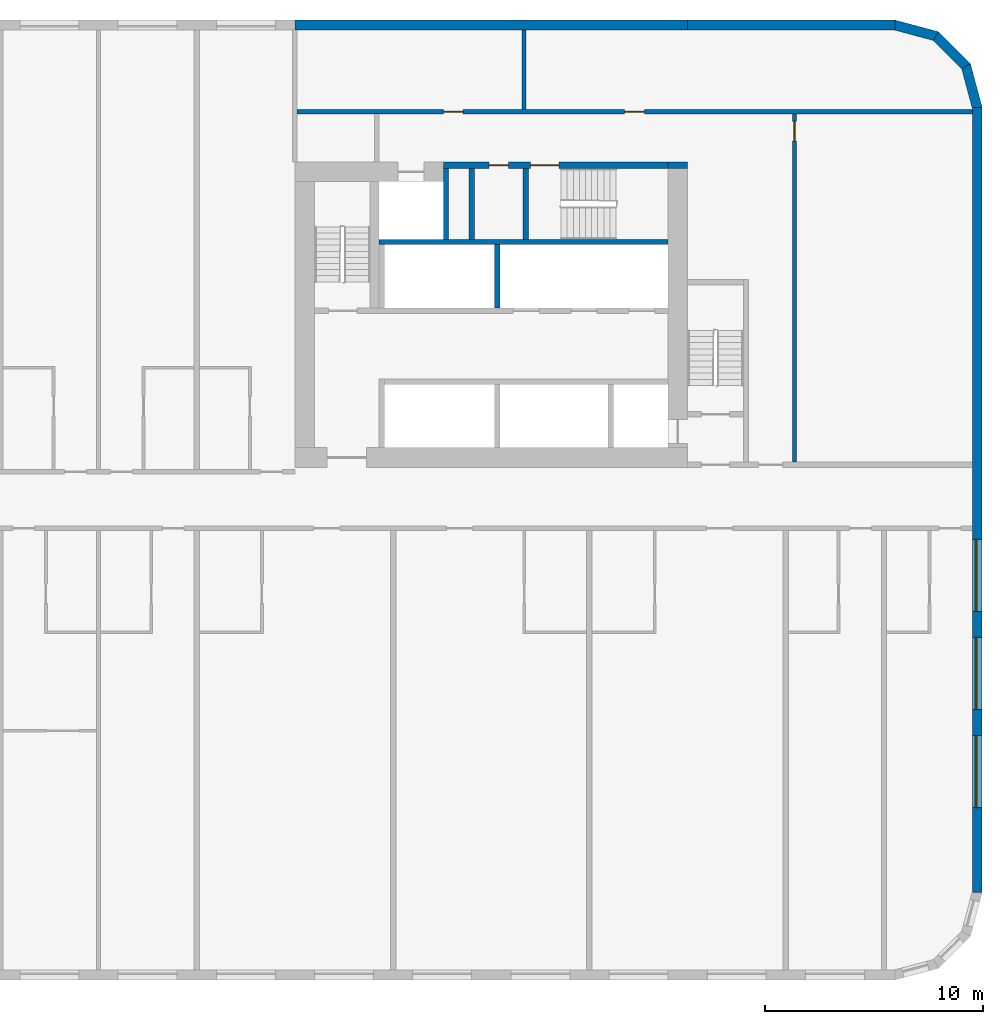
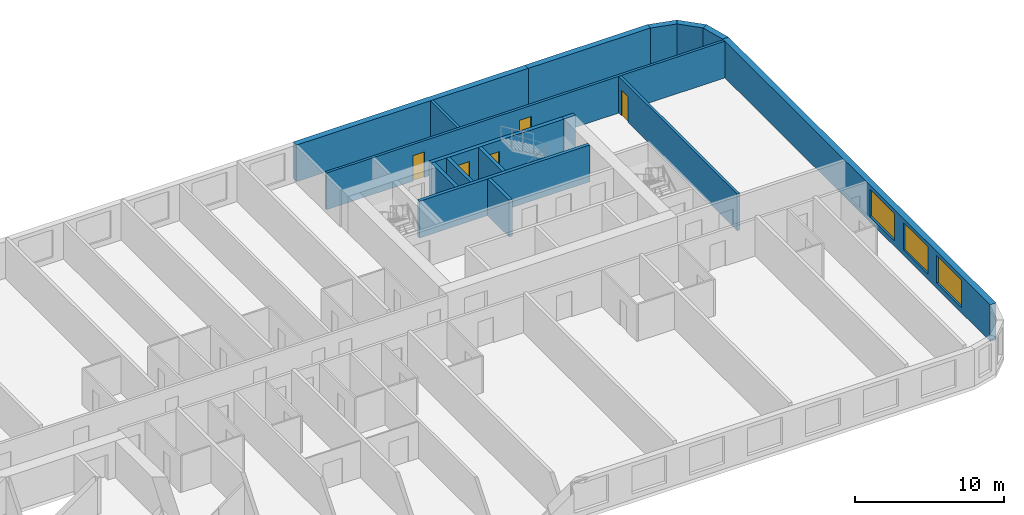
# One storey, part 8 of 12: 16 walls, 5 doors, 3 windows, 8 openings.
"""IFC4 building model written with IfcOpenShell, lengths in metres."""

from ifc_helpers import new_model, si_unit, direction, frame, frame_2d, origin, place, context, subcontext, project, spatial, polyline, rectangle, outline, extrude, material, layer, layer_set, type_object, element, fill, save


model = new_model("IFC4")

# Units and contexts
model_context = context("Model", 3, precision=1e-05, world=origin(), true_north=direction((0.0, 1.0)))
body_context = subcontext(model_context, "Body", "Model", "MODEL_VIEW")
ifc_project = project(units=[si_unit("LENGTHUNIT", "METRE"), si_unit("AREAUNIT", "SQUARE_METRE"), si_unit("VOLUMEUNIT", "CUBIC_METRE"), si_unit("PLANEANGLEUNIT", "RADIAN"), si_unit("MASSUNIT", "GRAM", prefix="KILO")], contexts=[model_context])

# Site, building, storey
site_placement = place(None, origin())
site = spatial("IfcSite", under=ifc_project, at=site_placement, CompositionType="ELEMENT")
building_placement = place(site_placement, origin())
building = spatial("IfcBuilding", under=site, at=building_placement, Name="Kajstack Hotel Tower", CompositionType="ELEMENT")
storey_placement = place(building_placement, frame((0.0, 0.0, 93.0)))
storey = spatial("IfcBuildingStorey", under=building, at=storey_placement, Name="L19", CompositionType="ELEMENT", Elevation=93.0)

# Walls
ifc_material_1 = material(Name="Concrete C60/75", Category="concrete")
ifc_layer_1 = layer(ifc_material_1, 0.89990234375)
ifc_layer_set_1 = layer_set([ifc_layer_1], Name="Core wall 900")
wall_type_1 = type_object("IfcWallType", Name="Core wall 900", PredefinedType="SHEAR", material=ifc_layer_set_1)
wall_1_placement = place(storey_placement, frame((30.60009765625, 15.35009765625, 0.0), z_axis=(0.0, 0.0, 1.0), x_axis=(1.0, 0.0, 0.0)))
element("IfcWall", 1, at=wall_1_placement, inside=storey, type_object=wall_type_1, Name="Core wall E RSW", PredefinedType="SHEAR", context=body_context, shape_type="SweptSolid", body=[
    extrude(rectangle(XDim=0.89990234375, YDim=0.300048828125, at=frame_2d((0.449951171875, 0.0))), origin(), (0.0, 0.0, 1.0), 3.02001953125),
])
ifc_material_2 = material(Name="Concrete C40/50", Category="concrete")
ifc_layer_2 = layer(ifc_material_2, 0.449951171875)
ifc_layer_set_2 = layer_set([ifc_layer_2], Name="EW-CORE")
wall_type_2 = type_object("IfcWallType", Name="EW-CORE", PredefinedType="SOLIDWALL", material=ifc_layer_set_2)
wall_2_placement = place(storey_placement, frame((31.5, 21.77490234375, 0.0), z_axis=(0.0, 0.0, 1.0), x_axis=(-1.0, 0.0, 0.0)))
element("IfcWall", 2, at=wall_2_placement, inside=storey, type_object=wall_type_2, Name="E-wall-L19-11-01", PredefinedType="SOLIDWALL", context=body_context, shape_type="SweptSolid", body=[
    extrude(rectangle(XDim=18.0, YDim=0.449951171875, at=frame_2d((9.0, 0.0))), origin(), (0.0, 0.0, 1.0), 3.02001953125),
])

# Wall, openings, windows
ifc_material_3 = material(Name="Terracotta-faced brick masonry", Category="masonry")
ifc_layer_3 = layer(ifc_material_3, 0.449951171875)
ifc_layer_set_3 = layer_set([ifc_layer_3], Name="EW-TERRA")
wall_type_3 = type_object("IfcWallType", Name="EW-TERRA", PredefinedType="SOLIDWALL", material=ifc_layer_set_3)
wall_3_placement = place(storey_placement, frame((44.77490234375, -18.0, 0.0), z_axis=(0.0, 0.0, 1.0), x_axis=(0.0, 1.0, 0.0)))
wall_3 = element("IfcWall", 3, at=wall_3_placement, inside=storey, type_object=wall_type_3, Name="E-wall-L19-07-00", PredefinedType="SOLIDWALL", context=body_context, shape_type="SweptSolid", body=[
    extrude(rectangle(XDim=36.0, YDim=0.449951171875, at=frame_2d((18.0, 0.0))), origin(), (0.0, 0.0, 1.0), 3.02001953125),
])
opening_1_placement = place(wall_3_placement, frame((3.89990234375, 0.0, 0.449951171875)))
opening_1 = element("IfcOpeningElement", 4, at=opening_1_placement, cuts=wall_3, Name="Opening W2", PredefinedType="OPENING", context=body_context, shape_type="SweptSolid", body=[
    extrude(rectangle(XDim=3.300048828125, YDim=2.25, at=frame_2d((1.64990234375, 1.125))), frame((0.0, 0.23486328125, 0.0), z_axis=(0.0, -1.0, 0.0), x_axis=(1.0, 0.0, 0.0)), (0.0, 0.0, 1.0), 0.469970703125),
])
opening_2_placement = place(wall_3_placement, frame((8.39990234375, 0.0, 0.449951171875)))
opening_2 = element("IfcOpeningElement", 5, at=opening_2_placement, cuts=wall_3, Name="Opening W2", PredefinedType="OPENING", context=body_context, shape_type="SweptSolid", body=[
    extrude(rectangle(XDim=3.300048828125, YDim=2.25, at=frame_2d((1.64990234375, 1.125))), frame((0.0, 0.23486328125, 0.0), z_axis=(0.0, -1.0, 0.0), x_axis=(1.0, 0.0, 0.0)), (0.0, 0.0, 1.0), 0.469970703125),
])
opening_3_placement = place(wall_3_placement, frame((12.89990234375, 0.0, 0.449951171875)))
opening_3 = element("IfcOpeningElement", 6, at=opening_3_placement, cuts=wall_3, Name="Opening W2", PredefinedType="OPENING", context=body_context, shape_type="SweptSolid", body=[
    extrude(rectangle(XDim=3.300048828125, YDim=2.25, at=frame_2d((1.64990234375, 1.125))), frame((0.0, 0.23486328125, 0.0), z_axis=(0.0, -1.0, 0.0), x_axis=(1.0, 0.0, 0.0)), (0.0, 0.0, 1.0), 0.469970703125),
])
ifc_material_4 = material(Name="Timber-aluminium window, triple glazed", Category="wood")
window_type = type_object("IfcWindowType", Name="WG2", PartitioningType="SINGLE_PANEL", PredefinedType="WINDOW", material=ifc_material_4)
window_1_placement = place(opening_1_placement, origin())
window_1 = element("IfcWindow", 7, at=window_1_placement, inside=storey, type_object=window_type, Name="Window W2 L19-07", OverallHeight=2.25, OverallWidth=3.300048828125, PartitioningType="SINGLE_PANEL", PredefinedType="WINDOW", context=body_context, shape_type="SweptSolid", body=[
    extrude(rectangle(XDim=3.300048828125, YDim=2.25, at=frame_2d((1.64990234375, 1.125))), frame((0.0, 0.090087890625, 0.0), z_axis=(0.0, -1.0, 0.0), x_axis=(1.0, 0.0, 0.0)), (0.0, 0.0, 1.0), 0.06005859375),
])
fill(opening_1, window_1)
window_2_placement = place(opening_2_placement, origin())
window_2 = element("IfcWindow", 8, at=window_2_placement, inside=storey, type_object=window_type, Name="Window W2 L19-07", OverallHeight=2.25, OverallWidth=3.300048828125, PartitioningType="SINGLE_PANEL", PredefinedType="WINDOW", context=body_context, shape_type="SweptSolid", body=[
    extrude(rectangle(XDim=3.300048828125, YDim=2.25, at=frame_2d((1.64990234375, 1.125))), frame((0.0, 0.090087890625, 0.0), z_axis=(0.0, -1.0, 0.0), x_axis=(1.0, 0.0, 0.0)), (0.0, 0.0, 1.0), 0.06005859375),
])
fill(opening_2, window_2)
window_3_placement = place(opening_3_placement, origin())
window_3 = element("IfcWindow", 9, at=window_3_placement, inside=storey, type_object=window_type, Name="Window W2 L19-07", OverallHeight=2.25, OverallWidth=3.300048828125, PartitioningType="SINGLE_PANEL", PredefinedType="WINDOW", context=body_context, shape_type="SweptSolid", body=[
    extrude(rectangle(XDim=3.300048828125, YDim=2.25, at=frame_2d((1.64990234375, 1.125))), frame((0.0, 0.090087890625, 0.0), z_axis=(0.0, -1.0, 0.0), x_axis=(1.0, 0.0, 0.0)), (0.0, 0.0, 1.0), 0.06005859375),
])
fill(opening_3, window_3)

# Walls
wall_4_placement = place(storey_placement, frame((44.78271484375, 17.941650390625, 0.0), z_axis=(0.0, 0.0, 1.0), x_axis=(-0.25881466832, 0.965926999034, 0.0)))
element("IfcWall", 10, at=wall_4_placement, inside=storey, type_object=wall_type_3, Name="E-wall-L19-08-00", PredefinedType="SOLIDWALL", context=body_context, shape_type="SweptSolid", body=[
    extrude(outline(polyline([(0.000244140625, -0.22509765625), (2.070556640625, -0.224853515625), (1.9501953125, 0.22509765625), (0.12060546875, 0.22509765625), (0.000244140625, -0.22509765625)])), origin(), (0.0, 0.0, 1.0), 3.02001953125),
])
wall_5_placement = place(storey_placement, frame((44.304931640625, 19.8408203125, 0.0), z_axis=(0.0, 0.0, 1.0), x_axis=(-0.707106781187, 0.707106781187, 0.0)))
element("IfcWall", 11, at=wall_5_placement, inside=storey, type_object=wall_type_3, Name="E-wall-L19-09-00", PredefinedType="SOLIDWALL", context=body_context, shape_type="SweptSolid", body=[
    extrude(outline(polyline([(0.0, -0.22509765625), (2.070556640625, -0.22509765625), (1.949951171875, 0.224853515625), (0.12060546875, 0.224853515625), (0.0, -0.22509765625)])), origin(), (0.0, 0.0, 1.0), 3.02001953125),
])
wall_6_placement = place(storey_placement, frame((42.941650390625, 21.246826171875, 0.0), z_axis=(0.0, 0.0, 1.0), x_axis=(-0.965926999034, 0.25881466832, 0.0)))
element("IfcWall", 12, at=wall_6_placement, inside=storey, type_object=wall_type_3, Name="E-wall-L19-10-00", PredefinedType="SOLIDWALL", context=body_context, shape_type="SweptSolid", body=[
    extrude(outline(polyline([(-0.000244140625, -0.224853515625), (2.0703125, -0.22509765625), (1.949951171875, 0.22509765625), (0.120361328125, 0.22509765625), (-0.000244140625, -0.224853515625)])), origin(), (0.0, 0.0, 1.0), 3.02001953125),
])
wall_7_placement = place(storey_placement, frame((41.0, 21.77490234375, 0.0), z_axis=(0.0, 0.0, 1.0), x_axis=(-1.0, 0.0, 0.0)))
element("IfcWall", 13, at=wall_7_placement, inside=storey, type_object=wall_type_3, Name="E-wall-L19-11-00", PredefinedType="SOLIDWALL", context=body_context, shape_type="SweptSolid", body=[
    extrude(rectangle(XDim=9.5, YDim=0.449951171875, at=frame_2d((4.75, 0.0))), origin(), (0.0, 0.0, 1.0), 3.02001953125),
])
ifc_material_5 = material(Name="Concrete C50/60", Category="concrete")
ifc_layer_4 = layer(ifc_material_5, 0.300048828125)
ifc_layer_set_4 = layer_set([ifc_layer_4], Name="Hoistway divider wall 300")
wall_type_4 = type_object("IfcWallType", Name="Hoistway divider wall 300", PredefinedType="SHEAR", material=ifc_layer_set_4)
wall_8_placement = place(storey_placement, frame((22.77490234375, 8.800048828125, 0.0), z_axis=(0.0, 0.0, 1.0), x_axis=(0.0, 1.0, 0.0)))
element("IfcWall", 14, at=wall_8_placement, inside=storey, type_object=wall_type_4, Name="Core wall E BP2", PredefinedType="SHEAR", context=body_context, shape_type="SweptSolid", body=[
    extrude(rectangle(XDim=2.89990234375, YDim=0.25, at=frame_2d((1.449951171875, 0.0))), origin(), (0.0, 0.0, 1.0), 3.02001953125),
])
ifc_material_6 = material(Name="Concrete block masonry", Category="masonry")
ifc_layer_5 = layer(ifc_material_6, 0.25)
ifc_layer_set_5 = layer_set([ifc_layer_5], Name="Riser partition 250")
wall_type_5 = type_object("IfcWallType", Name="Riser partition 250", PredefinedType="PARTITIONING", material=ifc_layer_set_5)
wall_9_placement = place(storey_placement, frame((21.60009765625, 11.949951171875, 0.0), z_axis=(0.0, 0.0, 1.0), x_axis=(0.0, 1.0, 0.0)))
element("IfcWall", 15, at=wall_9_placement, inside=storey, type_object=wall_type_5, Name="Partition E SZ0", PredefinedType="PARTITIONING", context=body_context, shape_type="SweptSolid", body=[
    extrude(rectangle(XDim=3.25, YDim=0.25, at=frame_2d((1.625, 0.0))), origin(), (0.0, 0.0, 1.0), 3.02001953125),
])

# Wall, opening, door
ifc_material_7 = material(Name="Gypsum board on steel studs, mineral wool", Category="steel")
ifc_layer_6 = layer(ifc_material_7, 0.199951171875)
ifc_layer_set_6 = layer_set([ifc_layer_6], Name="Service partition 200")
wall_type_6 = type_object("IfcWallType", Name="Service partition 200", PredefinedType="PARTITIONING", material=ifc_layer_set_6)
wall_10_placement = place(storey_placement, frame((36.39990234375, 1.75, 0.0), z_axis=(0.0, 0.0, 1.0), x_axis=(0.0, 1.0, 0.0)))
wall_10 = element("IfcWall", 16, at=wall_10_placement, inside=storey, type_object=wall_type_6, Name="Partition E WRE", PredefinedType="PARTITIONING", context=body_context, shape_type="SweptSolid", body=[
    extrude(rectangle(XDim=15.949951171875, YDim=0.199951171875, at=frame_2d((7.97509765625, 0.0))), origin(), (0.0, 0.0, 1.0), 3.02001953125),
])
opening_4_placement = place(wall_10_placement, frame((14.699951171875, 0.0, 0.0)))
opening_4 = element("IfcOpeningElement", 17, at=opening_4_placement, cuts=wall_10, Name="Opening 19E15", PredefinedType="OPENING", context=body_context, shape_type="SweptSolid", body=[
    extrude(rectangle(XDim=0.89990234375, YDim=2.10009765625, at=frame_2d((0.449951171875, 1.050048828125))), frame((0.0, 0.10986328125, 0.0), z_axis=(0.0, -1.0, 0.0), x_axis=(1.0, 0.0, 0.0)), (0.0, 0.0, 1.0), 0.219970703125),
])
ifc_material_8 = material(Name="Timber leaf, fire-rated", Category="wood")
door_type_1 = type_object("IfcDoorType", Name="Service door 900", OperationType="SINGLE_SWING_LEFT", PredefinedType="DOOR", material=ifc_material_8)
door_1_placement = place(opening_4_placement, origin())
door_1 = element("IfcDoor", 18, at=door_1_placement, inside=storey, type_object=door_type_1, Name="Door 19E15", OperationType="SINGLE_SWING_RIGHT", OverallHeight=2.10009765625, OverallWidth=0.89990234375, PredefinedType="DOOR", context=body_context, shape_type="SweptSolid", body=[
    extrude(rectangle(XDim=0.89990234375, YDim=2.10009765625, at=frame_2d((0.449951171875, 1.050048828125))), frame((0.0, 0.02490234375, 0.0), z_axis=(0.0, -1.0, 0.0), x_axis=(1.0, 0.0, 0.0)), (0.0, 0.0, 1.0), 0.050048828125),
])
fill(opening_4, door_1)

# Wall, openings, doors
wall_11_placement = place(storey_placement, frame((13.60009765625, 17.800048828125, 0.0), z_axis=(0.0, 0.0, 1.0), x_axis=(1.0, 0.0, 0.0)))
wall_11 = element("IfcWall", 19, at=wall_11_placement, inside=storey, type_object=wall_type_6, Name="Partition E SLN", PredefinedType="PARTITIONING", context=body_context, shape_type="SweptSolid", body=[
    extrude(rectangle(XDim=30.949951171875, YDim=0.199951171875, at=frame_2d((15.47509765625, 0.0))), origin(), (0.0, 0.0, 1.0), 3.02001953125),
])
opening_5_placement = place(wall_11_placement, frame((15.012451171875, 0.0, 0.0)))
opening_5 = element("IfcOpeningElement", 20, at=opening_5_placement, cuts=wall_11, Name="Opening 19E13", PredefinedType="OPENING", context=body_context, shape_type="SweptSolid", body=[
    extrude(rectangle(XDim=0.89990234375, YDim=2.10009765625, at=frame_2d((0.449951171875, 1.050048828125))), frame((0.0, 0.10986328125, 0.0), z_axis=(0.0, -1.0, 0.0), x_axis=(1.0, 0.0, 0.0)), (0.0, 0.0, 1.0), 0.219970703125),
])
opening_6_placement = place(wall_11_placement, frame((6.71240234375, 0.0, 0.0)))
opening_6 = element("IfcOpeningElement", 21, at=opening_6_placement, cuts=wall_11, Name="Opening 19E14", PredefinedType="OPENING", context=body_context, shape_type="SweptSolid", body=[
    extrude(rectangle(XDim=0.89990234375, YDim=2.10009765625, at=frame_2d((0.449951171875, 1.050048828125))), frame((0.0, 0.10986328125, 0.0), z_axis=(0.0, -1.0, 0.0), x_axis=(1.0, 0.0, 0.0)), (0.0, 0.0, 1.0), 0.219970703125),
])
door_2_placement = place(opening_5_placement, origin())
door_2 = element("IfcDoor", 22, at=door_2_placement, inside=storey, type_object=door_type_1, Name="Door 19E13", OperationType="SINGLE_SWING_LEFT", OverallHeight=2.10009765625, OverallWidth=0.89990234375, PredefinedType="DOOR", context=body_context, shape_type="SweptSolid", body=[
    extrude(rectangle(XDim=0.89990234375, YDim=2.10009765625, at=frame_2d((0.449951171875, 1.050048828125))), frame((0.0, 0.02490234375, 0.0), z_axis=(0.0, -1.0, 0.0), x_axis=(1.0, 0.0, 0.0)), (0.0, 0.0, 1.0), 0.050048828125),
])
fill(opening_5, door_2)
door_3_placement = place(opening_6_placement, origin())
door_3 = element("IfcDoor", 23, at=door_3_placement, inside=storey, type_object=door_type_1, Name="Door 19E14", OperationType="SINGLE_SWING_LEFT", OverallHeight=2.10009765625, OverallWidth=0.89990234375, PredefinedType="DOOR", context=body_context, shape_type="SweptSolid", body=[
    extrude(rectangle(XDim=0.89990234375, YDim=2.10009765625, at=frame_2d((0.449951171875, 1.050048828125))), frame((0.0, 0.02490234375, 0.0), z_axis=(0.0, -1.0, 0.0), x_axis=(1.0, 0.0, 0.0)), (0.0, 0.0, 1.0), 0.050048828125),
])
fill(opening_6, door_3)

# Wall
wall_12_placement = place(storey_placement, frame((24.0, 17.89990234375, 0.0), z_axis=(0.0, 0.0, 1.0), x_axis=(0.0, 1.0, 0.0)))
element("IfcWall", 24, at=wall_12_placement, inside=storey, type_object=wall_type_6, Name="Partition E SLP0", PredefinedType="PARTITIONING", context=body_context, shape_type="SweptSolid", body=[
    extrude(rectangle(XDim=3.650146484375, YDim=0.199951171875, at=frame_2d((1.8251953125, 0.0))), origin(), (0.0, 0.0, 1.0), 3.02001953125),
])

# Wall, openings, doors
ifc_layer_7 = layer(ifc_material_5, 0.25)
ifc_layer_set_7 = layer_set([ifc_layer_7], Name="Shaft wall 250")
wall_type_7 = type_object("IfcWallType", Name="Shaft wall 250", PredefinedType="SHEAR", material=ifc_layer_set_7)
wall_13_placement = place(storey_placement, frame((20.300048828125, 15.35009765625, 0.0), z_axis=(0.0, 0.0, 1.0), x_axis=(1.0, 0.0, 0.0)))
wall_13 = element("IfcWall", 25, at=wall_13_placement, inside=storey, type_object=wall_type_7, Name="Core wall E RSS", PredefinedType="SHEAR", context=body_context, shape_type="SweptSolid", body=[
    extrude(rectangle(XDim=10.300048828125, YDim=0.300048828125, at=frame_2d((5.14990234375, 0.0))), origin(), (0.0, 0.0, 1.0), 3.02001953125),
])
opening_7_placement = place(wall_13_placement, frame((4.0, 0.0, 0.0)))
opening_7 = element("IfcOpeningElement", 26, at=opening_7_placement, cuts=wall_13, Name="Opening 19E11", PredefinedType="OPENING", context=body_context, shape_type="SweptSolid", body=[
    extrude(rectangle(XDim=1.300048828125, YDim=2.10009765625, at=frame_2d((0.64990234375, 1.050048828125))), frame((0.0, 0.159912109375, 0.0), z_axis=(0.0, -1.0, 0.0), x_axis=(1.0, 0.0, 0.0)), (0.0, 0.0, 1.0), 0.320068359375),
])
opening_8_placement = place(wall_13_placement, frame((2.08740234375, 0.0, 0.0)))
opening_8 = element("IfcOpeningElement", 27, at=opening_8_placement, cuts=wall_13, Name="Opening 19E12", PredefinedType="OPENING", context=body_context, shape_type="SweptSolid", body=[
    extrude(rectangle(XDim=0.89990234375, YDim=2.10009765625, at=frame_2d((0.449951171875, 1.050048828125))), frame((0.0, 0.159912109375, 0.0), z_axis=(0.0, -1.0, 0.0), x_axis=(1.0, 0.0, 0.0)), (0.0, 0.0, 1.0), 0.320068359375),
])
door_4_placement = place(opening_8_placement, origin())
door_4 = element("IfcDoor", 28, at=door_4_placement, inside=storey, type_object=door_type_1, Name="Door 19E12", OperationType="SINGLE_SWING_RIGHT", OverallHeight=2.10009765625, OverallWidth=0.89990234375, PredefinedType="DOOR", context=body_context, shape_type="SweptSolid", body=[
    extrude(rectangle(XDim=0.89990234375, YDim=2.10009765625, at=frame_2d((0.449951171875, 1.050048828125))), frame((0.0, 0.02490234375, 0.0), z_axis=(0.0, -1.0, 0.0), x_axis=(1.0, 0.0, 0.0)), (0.0, 0.0, 1.0), 0.050048828125),
])
fill(opening_8, door_4)
ifc_material_9 = material(Name="Steel leaf, fire-rated", Category="steel")
door_type_2 = type_object("IfcDoorType", Name="Stair door 1300", OperationType="SINGLE_SWING_LEFT", PredefinedType="DOOR", material=ifc_material_9)
door_5_placement = place(opening_7_placement, origin())
door_5 = element("IfcDoor", 29, at=door_5_placement, inside=storey, type_object=door_type_2, Name="Door 19E11", OperationType="SINGLE_SWING_LEFT", OverallHeight=2.10009765625, OverallWidth=1.300048828125, PredefinedType="DOOR", context=body_context, shape_type="SweptSolid", body=[
    extrude(rectangle(XDim=1.300048828125, YDim=2.10009765625, at=frame_2d((0.64990234375, 1.050048828125))), frame((0.0, 0.02490234375, 0.0), z_axis=(0.0, -1.0, 0.0), x_axis=(1.0, 0.0, 0.0)), (0.0, 0.0, 1.0), 0.050048828125),
])
fill(opening_7, door_5)

# Walls
wall_14_placement = place(storey_placement, frame((17.35009765625, 11.824951171875, 0.0), z_axis=(0.0, 0.0, 1.0), x_axis=(1.0, 0.0, 0.0)))
element("IfcWall", 30, at=wall_14_placement, inside=storey, type_object=wall_type_7, Name="Core wall E RB", PredefinedType="SHEAR", context=body_context, shape_type="SweptSolid", body=[
    extrude(rectangle(XDim=13.25, YDim=0.25, at=frame_2d((6.625, 0.0))), origin(), (0.0, 0.0, 1.0), 3.02001953125),
])
wall_15_placement = place(storey_placement, frame((20.425048828125, 11.949951171875, 0.0), z_axis=(0.0, 0.0, 1.0), x_axis=(0.0, 1.0, 0.0)))
element("IfcWall", 31, at=wall_15_placement, inside=storey, type_object=wall_type_7, Name="Core wall E SVW", PredefinedType="SHEAR", context=body_context, shape_type="SweptSolid", body=[
    extrude(rectangle(XDim=3.25, YDim=0.25, at=frame_2d((1.625, 0.0))), origin(), (0.0, 0.0, 1.0), 3.02001953125),
])
ifc_layer_8 = layer(ifc_material_5, 0.35009765625)
ifc_layer_set_8 = layer_set([ifc_layer_8], Name="Stair enclosure wall 350")
wall_type_8 = type_object("IfcWallType", Name="Stair enclosure wall 350", PredefinedType="SHEAR", material=ifc_layer_set_8)
wall_16_placement = place(storey_placement, frame((24.074951171875, 11.949951171875, 0.0), z_axis=(0.0, 0.0, 1.0), x_axis=(0.0, 1.0, 0.0)))
element("IfcWall", 32, at=wall_16_placement, inside=storey, type_object=wall_type_8, Name="Core wall E W3E", PredefinedType="SHEAR", context=body_context, shape_type="SweptSolid", body=[
    extrude(rectangle(XDim=3.25, YDim=0.25, at=frame_2d((1.625, 0.0))), origin(), (0.0, 0.0, 1.0), 3.02001953125),
])

save(model, "model.ifc")
